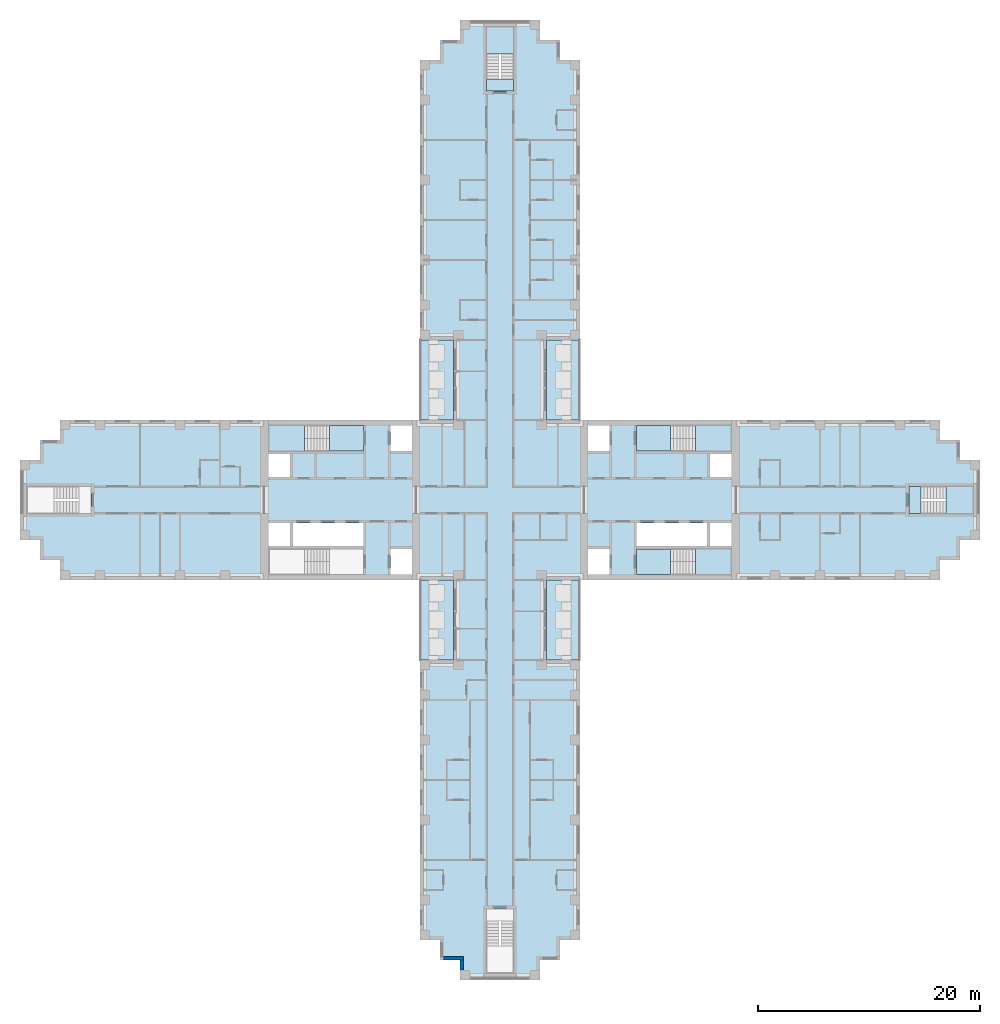
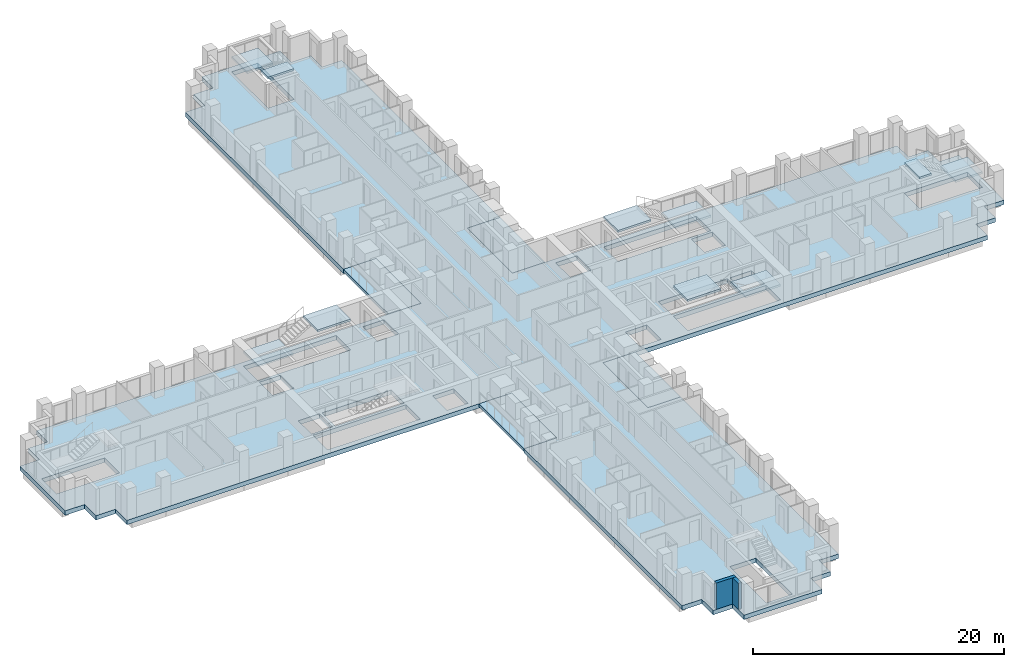
# One storey, part 2 of 15: 15 slabs, 2 walls, 5 elements without a shape of their own.
"""IFC4 building model written with IfcOpenShell, lengths in metres."""

from ifc_helpers import new_model, si_unit, direction, frame, frame_2d, origin, place, context, subcontext, project, spatial, polyline, rectangle, outline, extrude, material, layer, layer_set, type_object, element, aggregate, save


model = new_model("IFC4")

# Units and contexts
model_context = context("Model", 3, precision=1e-05, world=origin(), true_north=direction((0.0, 1.0)))
body_context = subcontext(model_context, "Body", "Model", "MODEL_VIEW")
ifc_project = project(units=[si_unit("LENGTHUNIT", "METRE"), si_unit("AREAUNIT", "SQUARE_METRE"), si_unit("VOLUMEUNIT", "CUBIC_METRE"), si_unit("PLANEANGLEUNIT", "RADIAN"), si_unit("MASSUNIT", "GRAM", prefix="KILO")], contexts=[model_context])

# Site, building, storey
site_placement = place(None, origin())
site = spatial("IfcSite", under=ifc_project, at=site_placement, CompositionType="ELEMENT")
building_placement = place(site_placement, origin())
building = spatial("IfcBuilding", under=site, at=building_placement, Name="Fustian Cross Tower", CompositionType="ELEMENT")
storey_placement = place(building_placement, frame((0.0, 0.0, 59.699951171875)))
storey = spatial("IfcBuildingStorey", under=building, at=storey_placement, Name="L18", CompositionType="ELEMENT", Elevation=59.699951171875)

# Slabs
ifc_material_1 = material(Name="Concrete C40/50", Category="concrete")
ifc_layer_1 = layer(ifc_material_1, 0.300048828125)
ifc_layer_set_1 = layer_set([ifc_layer_1], Name="Concrete C40/50")
slab_type_1 = type_object("IfcSlabType", Name="BS1 BALCONY SLAB 300", PredefinedType="FLOOR", material=ifc_layer_set_1)
slab_1_placement = place(storey_placement, frame((0.0, 0.0, -0.300048828125)))
element("IfcSlab", 1, at=slab_1_placement, inside=storey, type_object=slab_type_1, Name="Balcony slab", PredefinedType="FLOOR", context=body_context, shape_type="SweptSolid", body=[
    extrude(outline(polyline([(4.199951171875, 7.199951171875), (7.199951171875, 7.199951171875), (7.199951171875, 14.39990234375), (4.199951171875, 14.39990234375), (4.199951171875, 7.199951171875)])), origin(), (0.0, 0.0, 1.0), 0.300048828125),
])
slab_2_placement = place(storey_placement, frame((0.0, 0.0, -0.300048828125)))
element("IfcSlab", 2, at=slab_2_placement, inside=storey, type_object=slab_type_1, Name="Balcony slab", PredefinedType="FLOOR", context=body_context, shape_type="SweptSolid", body=[
    extrude(outline(polyline([(-7.199951171875, 7.199951171875), (-4.199951171875, 7.199951171875), (-4.199951171875, 14.39990234375), (-7.199951171875, 14.39990234375), (-7.199951171875, 7.199951171875)])), origin(), (0.0, 0.0, 1.0), 0.300048828125),
])
slab_3_placement = place(storey_placement, frame((0.0, 0.0, -0.300048828125)))
element("IfcSlab", 3, at=slab_3_placement, inside=storey, type_object=slab_type_1, Name="Balcony slab", PredefinedType="FLOOR", context=body_context, shape_type="SweptSolid", body=[
    extrude(outline(polyline([(4.199951171875, -14.39990234375), (7.199951171875, -14.39990234375), (7.199951171875, -7.199951171875), (4.199951171875, -7.199951171875), (4.199951171875, -14.39990234375)])), origin(), (0.0, 0.0, 1.0), 0.300048828125),
])
slab_4_placement = place(storey_placement, frame((0.0, 0.0, -0.300048828125)))
element("IfcSlab", 4, at=slab_4_placement, inside=storey, type_object=slab_type_1, Name="Balcony slab", PredefinedType="FLOOR", context=body_context, shape_type="SweptSolid", body=[
    extrude(outline(polyline([(-7.199951171875, -14.39990234375), (-4.199951171875, -14.39990234375), (-4.199951171875, -7.199951171875), (-7.199951171875, -7.199951171875), (-7.199951171875, -14.39990234375)])), origin(), (0.0, 0.0, 1.0), 0.300048828125),
])
ifc_material_2 = material(Name="Concrete C40/50", Category="concrete")
ifc_layer_2 = layer(ifc_material_2, 0.425048828125)
ifc_layer_set_2 = layer_set([ifc_layer_2], Name="Concrete C40/50")
slab_type_2 = type_object("IfcSlabType", Name="FLAT SLAB 425", PredefinedType="FLOOR", material=ifc_layer_set_2)
slab_5_placement = place(storey_placement, frame((0.0, 0.0, -0.425048828125)))
element("IfcSlab", 5, at=slab_5_placement, inside=storey, type_object=slab_type_2, Name="FLOOR SLAB L18-1", PredefinedType="FLOOR", context=body_context, shape_type="SweptSolid", body=[
    extrude(outline(polyline([(-4.199951171875, -7.199951171875), (-39.60009765625, -7.199951171875), (-39.60009765625, -5.39990234375), (-41.39990234375, -5.39990234375), (-41.39990234375, -3.60009765625), (-43.199951171875, -3.60009765625), (-43.199951171875, 3.60009765625), (-41.39990234375, 3.60009765625), (-41.39990234375, 5.39990234375), (-39.60009765625, 5.39990234375), (-39.60009765625, 7.199951171875), (-4.199951171875, 7.199951171875), (-4.199951171875, 14.39990234375), (-7.199951171875, 14.39990234375), (-7.199951171875, 39.60009765625), (-5.39990234375, 39.60009765625), (-5.39990234375, 41.39990234375), (-3.60009765625, 41.39990234375), (-3.60009765625, 43.199951171875), (3.60009765625, 43.199951171875), (3.60009765625, 41.39990234375), (5.39990234375, 41.39990234375), (5.39990234375, 39.60009765625), (7.199951171875, 39.60009765625), (7.199951171875, 14.39990234375), (4.199951171875, 14.39990234375), (4.199951171875, 7.199951171875), (39.60009765625, 7.199951171875), (39.60009765625, 5.39990234375), (41.39990234375, 5.39990234375), (41.39990234375, 3.60009765625), (43.199951171875, 3.60009765625), (43.199951171875, -3.60009765625), (41.39990234375, -3.60009765625), (41.39990234375, -5.39990234375), (39.60009765625, -5.39990234375), (39.60009765625, -7.199951171875), (4.199951171875, -7.199951171875), (4.199951171875, -14.39990234375), (7.199951171875, -14.39990234375), (7.199951171875, -39.60009765625), (5.39990234375, -39.60009765625), (5.39990234375, -41.39990234375), (3.60009765625, -41.39990234375), (3.60009765625, -43.199951171875), (-3.60009765625, -43.199951171875), (-3.60009765625, -41.39990234375), (-5.39990234375, -41.39990234375), (-5.39990234375, -39.60009765625), (-7.199951171875, -39.60009765625), (-7.199951171875, -14.39990234375), (-4.199951171875, -14.39990234375), (-4.199951171875, -7.199951171875)]), holes=[polyline([(18.89990234375, -2.050048828125), (18.89990234375, -4.14990234375), (20.85009765625, -4.14990234375), (20.85009765625, -2.050048828125), (18.89990234375, -2.050048828125)]), polyline([(20.85009765625, 4.14990234375), (18.89990234375, 4.14990234375), (18.89990234375, 2.050048828125), (20.85009765625, 2.050048828125), (20.85009765625, 4.14990234375)]), polyline([(9.85009765625, 4.39990234375), (9.85009765625, 6.699951171875), (7.89990234375, 6.699951171875), (7.89990234375, 4.39990234375), (9.85009765625, 4.39990234375)]), polyline([(7.89990234375, -6.699951171875), (9.85009765625, -6.699951171875), (9.85009765625, -4.39990234375), (7.89990234375, -4.39990234375), (7.89990234375, -6.699951171875)]), polyline([(-20.85009765625, -2.050048828125), (-20.85009765625, -4.14990234375), (-18.89990234375, -4.14990234375), (-18.89990234375, -2.050048828125), (-20.85009765625, -2.050048828125)]), polyline([(-18.89990234375, 4.14990234375), (-20.85009765625, 4.14990234375), (-20.85009765625, 2.050048828125), (-18.89990234375, 2.050048828125), (-18.89990234375, 4.14990234375)]), polyline([(-7.89990234375, 4.39990234375), (-7.89990234375, 6.699951171875), (-9.85009765625, 6.699951171875), (-9.85009765625, 4.39990234375), (-7.89990234375, 4.39990234375)]), polyline([(-9.85009765625, -6.699951171875), (-7.89990234375, -6.699951171875), (-7.89990234375, -4.39990234375), (-9.85009765625, -4.39990234375), (-9.85009765625, -6.699951171875)]), polyline([(12.300048828125, -2.050048828125), (12.300048828125, -4.14990234375), (18.64990234375, -4.14990234375), (18.64990234375, -2.050048828125), (12.300048828125, -2.050048828125)]), polyline([(-12.300048828125, -2.050048828125), (-18.64990234375, -2.050048828125), (-18.64990234375, -4.14990234375), (-12.300048828125, -4.14990234375), (-12.300048828125, -2.050048828125)]), polyline([(20.85009765625, 4.39990234375), (20.85009765625, 6.699951171875), (12.300048828125, 6.699951171875), (12.300048828125, 4.39990234375), (20.85009765625, 4.39990234375)]), polyline([(12.300048828125, -6.699951171875), (20.85009765625, -6.699951171875), (20.85009765625, -4.39990234375), (12.300048828125, -4.39990234375), (12.300048828125, -6.699951171875)]), polyline([(-20.85009765625, 6.699951171875), (-20.85009765625, 4.39990234375), (-12.300048828125, 4.39990234375), (-12.300048828125, 6.699951171875), (-20.85009765625, 6.699951171875)]), polyline([(-12.300048828125, -4.39990234375), (-20.85009765625, -4.39990234375), (-20.85009765625, -6.699951171875), (-12.300048828125, -6.699951171875), (-12.300048828125, -4.39990234375)]), polyline([(1.199951171875, 36.800048828125), (1.199951171875, 42.60009765625), (-1.199951171875, 42.60009765625), (-1.199951171875, 36.800048828125), (1.199951171875, 36.800048828125)]), polyline([(-1.199951171875, -42.60009765625), (1.199951171875, -42.60009765625), (1.199951171875, -36.800048828125), (-1.199951171875, -36.800048828125), (-1.199951171875, -42.60009765625)]), polyline([(36.800048828125, 1.199951171875), (36.800048828125, -1.199951171875), (42.60009765625, -1.199951171875), (42.60009765625, 1.199951171875), (36.800048828125, 1.199951171875)]), polyline([(-36.800048828125, 1.199951171875), (-42.60009765625, 1.199951171875), (-42.60009765625, -1.199951171875), (-36.800048828125, -1.199951171875), (-36.800048828125, 1.199951171875)])]), origin(), (0.0, 0.0, 1.0), 0.425048828125),
])

# Stair, slabs
ifc_material_3 = material(Name="Concrete C50/60", Category="concrete")
stair_type_1 = type_object("IfcStairType", Name="STAIR 1150 HALF TURN", PredefinedType="HALF_TURN_STAIR", material=ifc_material_3)
stair_1_placement = place(storey_placement, origin())
stair_1 = element("IfcStair", 6, at=stair_1_placement, inside=storey, type_object=stair_type_1, Name="Stair ST1", PredefinedType="HALF_TURN_STAIR")
ifc_material_4 = material(Name="Concrete C50/60", Category="concrete")
ifc_layer_3 = layer(ifc_material_4, 0.199951171875)
ifc_layer_set_3 = layer_set([ifc_layer_3], Name="Concrete C50/60")
slab_type_3 = type_object("IfcSlabType", Name="STAIR LANDING", PredefinedType="LANDING", material=ifc_layer_set_3)
slab_6_placement = place(storey_placement, frame((0.0, 0.0, 1.300048828125)))
slab_6 = element("IfcSlab", 7, at=slab_6_placement, type_object=slab_type_3, Name="ST1 landing 1", PredefinedType="LANDING", context=body_context, shape_type="SweptSolid", body=[
    extrude(outline(polyline([(17.590087890625, 4.39990234375), (20.85009765625, 4.39990234375), (20.85009765625, 6.699951171875), (17.590087890625, 6.699951171875), (17.590087890625, 4.39990234375)])), origin(), (0.0, 0.0, 1.0), 0.199951171875),
])
slab_7_placement = place(storey_placement, frame((0.0, 0.0, 2.800048828125)))
slab_7 = element("IfcSlab", 8, at=slab_7_placement, type_object=slab_type_3, Name="ST1 landing 2", PredefinedType="LANDING", context=body_context, shape_type="SweptSolid", body=[
    extrude(outline(polyline([(12.300048828125, 4.39990234375), (15.35009765625, 4.39990234375), (15.35009765625, 6.699951171875), (12.300048828125, 6.699951171875), (12.300048828125, 4.39990234375)])), origin(), (0.0, 0.0, 1.0), 0.199951171875),
])
aggregate(stair_1, [slab_6, slab_7])

stair_2_placement = place(storey_placement, origin())
stair_2 = element("IfcStair", 9, at=stair_2_placement, inside=storey, type_object=stair_type_1, Name="Stair ST2", PredefinedType="HALF_TURN_STAIR")
slab_8_placement = place(storey_placement, frame((0.0, 0.0, 1.300048828125)))
slab_8 = element("IfcSlab", 10, at=slab_8_placement, type_object=slab_type_3, Name="ST2 landing 1", PredefinedType="LANDING", context=body_context, shape_type="SweptSolid", body=[
    extrude(outline(polyline([(17.590087890625, -4.39990234375), (20.85009765625, -4.39990234375), (20.85009765625, -6.699951171875), (17.590087890625, -6.699951171875), (17.590087890625, -4.39990234375)])), origin(), (0.0, 0.0, 1.0), 0.199951171875),
])
slab_9_placement = place(storey_placement, frame((0.0, 0.0, 2.800048828125)))
slab_9 = element("IfcSlab", 11, at=slab_9_placement, type_object=slab_type_3, Name="ST2 landing 2", PredefinedType="LANDING", context=body_context, shape_type="SweptSolid", body=[
    extrude(outline(polyline([(12.300048828125, -4.39990234375), (15.35009765625, -4.39990234375), (15.35009765625, -6.699951171875), (12.300048828125, -6.699951171875), (12.300048828125, -4.39990234375)])), origin(), (0.0, 0.0, 1.0), 0.199951171875),
])
aggregate(stair_2, [slab_8, slab_9])

stair_3_placement = place(storey_placement, origin())
stair_3 = element("IfcStair", 12, at=stair_3_placement, inside=storey, type_object=stair_type_1, Name="Stair ST3", PredefinedType="HALF_TURN_STAIR")
slab_10_placement = place(storey_placement, frame((0.0, 0.0, 1.300048828125)))
slab_10 = element("IfcSlab", 13, at=slab_10_placement, type_object=slab_type_3, Name="ST3 landing 1", PredefinedType="LANDING", context=body_context, shape_type="SweptSolid", body=[
    extrude(outline(polyline([(-17.590087890625, 4.39990234375), (-20.85009765625, 4.39990234375), (-20.85009765625, 6.699951171875), (-17.590087890625, 6.699951171875), (-17.590087890625, 4.39990234375)])), origin(), (0.0, 0.0, 1.0), 0.199951171875),
])
slab_11_placement = place(storey_placement, frame((0.0, 0.0, 2.800048828125)))
slab_11 = element("IfcSlab", 14, at=slab_11_placement, type_object=slab_type_3, Name="ST3 landing 2", PredefinedType="LANDING", context=body_context, shape_type="SweptSolid", body=[
    extrude(outline(polyline([(-12.300048828125, 4.39990234375), (-15.35009765625, 4.39990234375), (-15.35009765625, 6.699951171875), (-12.300048828125, 6.699951171875), (-12.300048828125, 4.39990234375)])), origin(), (0.0, 0.0, 1.0), 0.199951171875),
])
aggregate(stair_3, [slab_10, slab_11])

ifc_material_5 = material(Name="Concrete C50/60", Category="concrete")
stair_type_2 = type_object("IfcStairType", Name="STAIR 1100 HALF TURN", PredefinedType="HALF_TURN_STAIR", material=ifc_material_5)
stair_4_placement = place(storey_placement, origin())
stair_4 = element("IfcStair", 15, at=stair_4_placement, inside=storey, type_object=stair_type_2, Name="Stair ST5", PredefinedType="HALF_TURN_STAIR")
slab_12_placement = place(storey_placement, frame((0.0, 0.0, 1.300048828125)))
slab_12 = element("IfcSlab", 16, at=slab_12_placement, type_object=slab_type_3, Name="ST5 landing 1", PredefinedType="LANDING", context=body_context, shape_type="SweptSolid", body=[
    extrude(outline(polyline([(-1.199951171875, 40.139892578125), (-1.199951171875, 42.60009765625), (1.199951171875, 42.60009765625), (1.199951171875, 40.139892578125), (-1.199951171875, 40.139892578125)])), origin(), (0.0, 0.0, 1.0), 0.199951171875),
])
slab_13_placement = place(storey_placement, frame((0.0, 0.0, 2.800048828125)))
slab_13 = element("IfcSlab", 17, at=slab_13_placement, type_object=slab_type_3, Name="ST5 landing 2", PredefinedType="LANDING", context=body_context, shape_type="SweptSolid", body=[
    extrude(outline(polyline([(-1.199951171875, 36.800048828125), (-1.199951171875, 37.89990234375), (1.199951171875, 37.89990234375), (1.199951171875, 36.800048828125), (-1.199951171875, 36.800048828125)])), origin(), (0.0, 0.0, 1.0), 0.199951171875),
])
aggregate(stair_4, [slab_12, slab_13])

stair_5_placement = place(storey_placement, origin())
stair_5 = element("IfcStair", 18, at=stair_5_placement, inside=storey, type_object=stair_type_2, Name="Stair ST8", PredefinedType="HALF_TURN_STAIR")
slab_14_placement = place(storey_placement, frame((0.0, 0.0, 1.300048828125)))
slab_14 = element("IfcSlab", 19, at=slab_14_placement, type_object=slab_type_3, Name="ST8 landing 1", PredefinedType="LANDING", context=body_context, shape_type="SweptSolid", body=[
    extrude(outline(polyline([(40.139892578125, -1.199951171875), (42.60009765625, -1.199951171875), (42.60009765625, 1.199951171875), (40.139892578125, 1.199951171875), (40.139892578125, -1.199951171875)])), origin(), (0.0, 0.0, 1.0), 0.199951171875),
])
slab_15_placement = place(storey_placement, frame((0.0, 0.0, 2.800048828125)))
slab_15 = element("IfcSlab", 20, at=slab_15_placement, type_object=slab_type_3, Name="ST8 landing 2", PredefinedType="LANDING", context=body_context, shape_type="SweptSolid", body=[
    extrude(outline(polyline([(36.800048828125, -1.199951171875), (37.89990234375, -1.199951171875), (37.89990234375, 1.199951171875), (36.800048828125, 1.199951171875), (36.800048828125, -1.199951171875)])), origin(), (0.0, 0.0, 1.0), 0.199951171875),
])
aggregate(stair_5, [slab_14, slab_15])

# Walls
ifc_material_6 = material(Name="Dark aluminium cladding on insulated backing wall", Category="aluminium")
ifc_layer_4 = layer(ifc_material_6, 0.300048828125)
ifc_layer_set_4 = layer_set([ifc_layer_4], Name="Dark aluminium cladding on insulated backing wall")
wall_type = type_object("IfcWallType", Name="XW1 EXTERNAL WALL 300", PredefinedType="SOLIDWALL", material=ifc_layer_set_4)
wall_1_placement = place(storey_placement, frame((-5.10009765625, -41.25, 0.0), z_axis=(0.0, 0.0, 1.0), x_axis=(1.0, 0.0, 0.0)))
element("IfcWall", 21, at=wall_1_placement, inside=storey, type_object=wall_type, Name="External wall", PredefinedType="SOLIDWALL", context=body_context, shape_type="SweptSolid", body=[
    extrude(rectangle(XDim=1.800048828125, YDim=0.300048828125, at=frame_2d((0.89990234375, 0.0))), origin(), (0.0, 0.0, 1.0), 2.550048828125),
])
wall_2_placement = place(storey_placement, frame((-3.449951171875, -41.39990234375, 0.0), z_axis=(0.0, 0.0, 1.0), x_axis=(0.0, -1.0, 0.0)))
element("IfcWall", 22, at=wall_2_placement, inside=storey, type_object=wall_type, Name="External wall", PredefinedType="SOLIDWALL", context=body_context, shape_type="SweptSolid", body=[
    extrude(rectangle(XDim=0.900146484375, YDim=0.300048828125, at=frame_2d((0.4501953125, 0.0))), origin(), (0.0, 0.0, 1.0), 2.550048828125),
])

save(model, "model.ifc")
